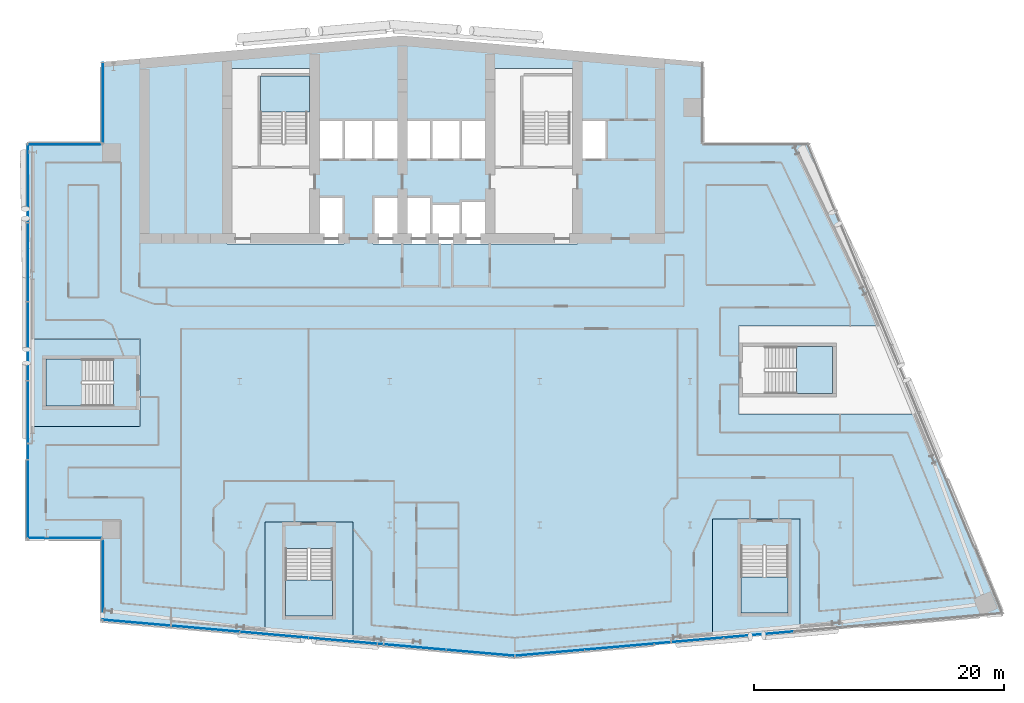
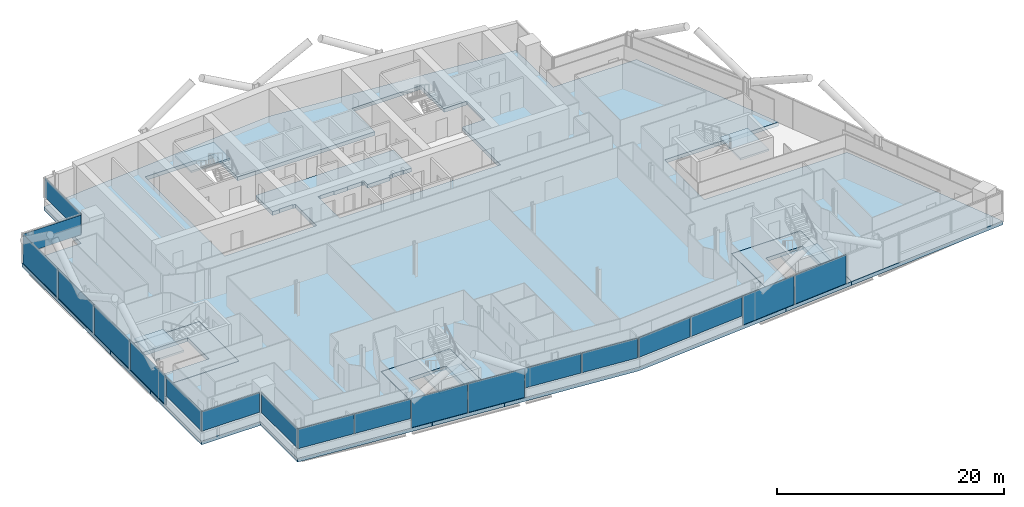
# One storey, part 13 of 27: 19 plates, 9 slabs, 12 elements without a shape of their own.
"""IFC4 building model written with IfcOpenShell, lengths in metres."""

import ifcopenshell
import ifcopenshell.guid

model = None  # the IFC model being written
_history = None  # IfcOwnerHistory: only IFC2X3 demands one
_inside = {}  # id of a spatial element -> (the spatial element, [elements in it])
_under = {}  # id of a project, library or spatial element -> (it, [spatial elements below it])
_declared = {}  # id of a project -> (the project, [libraries it declares])
_typed = {}  # id of a type object -> (the type object, [elements of that type])
_made_of = {}  # id of a material, layer set ... -> (it, [elements and type objects made of it])


def new_model(schema):
    """Start an empty IFC model of exactly this schema.

    Asked for "IFC4X3", IfcOpenShell would pick the latest addendum, in which some entities
    have other attributes; the version numbers below select the first issue.
    IFC2X3 requires an IfcOwnerHistory on every rooted entity: one is made here for all.
    """
    global model, _history
    if schema == "IFC4X3":
        model = ifcopenshell.file(schema_version=(4, 3, 0, 0))
    else:
        model = ifcopenshell.file(schema=schema)
    _inside.clear()
    _under.clear()
    _declared.clear()
    _typed.clear()
    _made_of.clear()
    _history = None
    if model.schema == "IFC2X3":
        org = make("IfcOrganization", Name="unknown")
        user = make(
            "IfcPersonAndOrganization",
            ThePerson=make("IfcPerson", FamilyName="unknown"),
            TheOrganization=org,
        )
        app = make(
            "IfcApplication",
            ApplicationDeveloper=org,
            Version="unknown",
            ApplicationFullName="unknown",
            ApplicationIdentifier="unknown",
        )
        _history = make(
            "IfcOwnerHistory",
            OwningUser=user,
            OwningApplication=app,
            ChangeAction="ADDED",
            CreationDate=0,
        )
    return model


def make(cls, **values):
    """One entity of the class cls with the attributes given. An attribute that is None is left unset."""
    return model.create_entity(
        cls, **{name: value for name, value in values.items() if value is not None}
    )


def rooted(cls, **values):
    """An entity with a GlobalId (a new one), such as an element, a storey or a relation."""
    return make(cls, GlobalId=ifcopenshell.guid.new(), OwnerHistory=_history, **values)


def si_unit(unit_type, name, prefix=None):
    """IfcSIUnit, for example si_unit("LENGTHUNIT", "METRE", prefix="MILLI")."""
    return make("IfcSIUnit", UnitType=unit_type, Prefix=prefix, Name=name)


def assignment(units):
    """IfcUnitAssignment: the units of a project."""
    return None if units is None else make("IfcUnitAssignment", Units=units)


def point(xyz):
    """IfcCartesianPoint."""
    return None if xyz is None else make("IfcCartesianPoint", Coordinates=xyz)


def direction(xyz):
    """IfcDirection."""
    return None if xyz is None else make("IfcDirection", DirectionRatios=xyz)


def frame(location, z_axis=None, x_axis=None):
    """IfcAxis2Placement3D, a coordinate frame: its origin and axes. An axis left out is left unset."""
    return make(
        "IfcAxis2Placement3D",
        Location=point(location),
        Axis=direction(z_axis),
        RefDirection=direction(x_axis),
    )


def frame_2d(location, x_axis=None):
    """IfcAxis2Placement2D, a coordinate frame in the plane: its origin and x axis."""
    return make(
        "IfcAxis2Placement2D", Location=point(location), RefDirection=direction(x_axis)
    )


def origin():
    """The frame at (0, 0, 0) with its axes left unset."""
    return frame((0.0, 0.0, 0.0))


def origin_2d():
    """The frame at (0, 0) in the plane with its x axis left unset."""
    return frame_2d((0.0, 0.0))


def place(relative_to, where):
    """IfcLocalPlacement: puts the frame where relative to a parent placement (None: the world)."""
    return make(
        "IfcLocalPlacement", PlacementRelTo=relative_to, RelativePlacement=where
    )


def context(
    kind, dimensions, precision=None, world=None, true_north=None, identifier=None
):
    """IfcGeometricRepresentationContext, for example the 3D "Model" context."""
    return make(
        "IfcGeometricRepresentationContext",
        ContextIdentifier=identifier,
        ContextType=kind,
        CoordinateSpaceDimension=dimensions,
        Precision=precision,
        WorldCoordinateSystem=world,
        TrueNorth=true_north,
    )


def subcontext(parent, identifier, kind, view, scale=None):
    """IfcGeometricRepresentationSubContext, for example "Body" below "Model"."""
    return make(
        "IfcGeometricRepresentationSubContext",
        ContextIdentifier=identifier,
        ContextType=kind,
        ParentContext=parent,
        TargetScale=scale,
        TargetView=view,
    )


def project(units=None, contexts=None):
    """IfcProject with its units and contexts."""
    return rooted(
        "IfcProject",
        Name="project",
        RepresentationContexts=contexts,
        UnitsInContext=assignment(units),
    )


def spatial(cls, under=None, at=None, **own):
    """A site, building, storey or space (cls), placed at a placement, below another one or the project."""
    s = rooted(cls, ObjectPlacement=at, **own)
    if under is not None:
        _under.setdefault(under.id(), (under, []))[1].append(s)
    return s


def polyline(points):
    """IfcPolyline through the points."""
    return make("IfcPolyline", Points=[point(p) for p in points])


def profile(cls, at=None, kind="AREA", **sizes):
    """A parametric profile (cls). Its sizes go by their IFC names, for example OverallWidth=200.0."""
    return make(cls, ProfileType=kind, Position=at, **sizes)


def rectangle(**sizes):
    """IfcRectangleProfileDef."""
    return profile("IfcRectangleProfileDef", **sizes)


def outline(outer, holes=None, kind="AREA"):
    """IfcArbitraryClosedProfileDef: a profile drawn as a closed curve; with holes, ...WithVoids."""
    if holes is None:
        return make("IfcArbitraryClosedProfileDef", ProfileType=kind, OuterCurve=outer)
    return make(
        "IfcArbitraryProfileDefWithVoids",
        ProfileType=kind,
        OuterCurve=outer,
        InnerCurves=holes,
    )


def extrude(swept, where, along, depth):
    """IfcExtrudedAreaSolid: the profile swept, set in the frame where, extruded along a direction by depth."""
    return make(
        "IfcExtrudedAreaSolid",
        SweptArea=swept,
        Position=where,
        ExtrudedDirection=direction(along),
        Depth=depth,
    )


def shape(context_of_items, identifier, shape_type, items):
    """IfcShapeRepresentation: the items that make up one representation, for example the "Body"."""
    return make(
        "IfcShapeRepresentation",
        ContextOfItems=context_of_items,
        RepresentationIdentifier=identifier,
        RepresentationType=shape_type,
        Items=items,
    )


def material(Name=None, Category=None):
    """IfcMaterial."""
    return make("IfcMaterial", Name=Name, Category=Category)


def layer(
    of_material, thickness, ventilated=None, Name=None, Category=None, Priority=None
):
    """IfcMaterialLayer: one layer of a wall or slab, of a material (None: an air gap)."""
    return make(
        "IfcMaterialLayer",
        Material=of_material,
        LayerThickness=thickness,
        IsVentilated=ventilated,
        Name=Name,
        Category=Category,
        Priority=Priority,
    )


def layer_set(layers, Name=None):
    """IfcMaterialLayerSet."""
    return make("IfcMaterialLayerSet", MaterialLayers=layers, LayerSetName=Name)


def made_of(thing, what):
    """Note that an element or type object is made of a material, layer set ...; save() writes the relation."""
    if what is not None:
        _made_of.setdefault(what.id(), (what, []))[1].append(thing)
    return thing


def type_object(cls, material=None, **own):
    """A type object (cls), such as IfcWallType, which elements share."""
    return made_of(rooted(cls, **own), material)


def element(
    cls,
    number,
    at=None,
    inside=None,
    cuts=None,
    type_object=None,
    material=None,
    context=None,
    identifier="Body",
    shape_type=None,
    held_by="IfcProductDefinitionShape",
    body=None,
    shapes=None,
    **own,
):
    """One element of the class cls, such as IfcWall. Its Tag is "e" and its number.

    at: its placement. inside: the storey or other place that contains it. cuts: it is an
    opening in that element (IfcRelVoidsElement). A single representation is given by context,
    identifier, shape_type and body (its items); several are given by shapes. held_by: the class
    of the entity that holds the representations. save() writes the other relations.
    """
    e = rooted(cls, Tag="e%d" % number, ObjectPlacement=at, **own)
    if body is not None:
        shapes = [shape(context, identifier, shape_type, body)]
    if shapes is not None:
        e.Representation = make(held_by, Representations=shapes)
    if inside is not None:
        _inside.setdefault(inside.id(), (inside, []))[1].append(e)
    if cuts is not None:
        rooted(
            "IfcRelVoidsElement", RelatingBuildingElement=cuts, RelatedOpeningElement=e
        )
    if type_object is not None:
        _typed.setdefault(type_object.id(), (type_object, []))[1].append(e)
    return made_of(e, material)


def aggregate(whole, parts):
    """IfcRelAggregates: a whole, such as a stair, and the parts it consists of."""
    return rooted("IfcRelAggregates", RelatingObject=whole, RelatedObjects=parts)


def save(model, path):
    """Write the relations noted so far, then the file.

    IfcRelAggregates (storeys below a building ...), IfcRelContainedInSpatialStructure (elements
    in a storey), IfcRelDefinesByType, IfcRelAssociatesMaterial and IfcRelDeclares: one each for
    every whole, place, type object, material and project.
    """
    for whole, parts in _under.values():
        aggregate(whole, parts)
    for where, things in _inside.values():
        rooted(
            "IfcRelContainedInSpatialStructure",
            RelatedElements=things,
            RelatingStructure=where,
        )
    for kind, things in _typed.values():
        rooted("IfcRelDefinesByType", RelatedObjects=things, RelatingType=kind)
    for what, things in _made_of.values():
        rooted("IfcRelAssociatesMaterial", RelatedObjects=things, RelatingMaterial=what)
    for by, libraries in _declared.values():
        rooted("IfcRelDeclares", RelatingContext=by, RelatedDefinitions=libraries)
    model.write(path)


model = new_model("IFC4")

# Units and contexts
model_context = context("Model", 3, precision=1e-05, world=origin(), true_north=direction((0.0, 1.0)))
body_context = subcontext(model_context, "Body", "Model", "MODEL_VIEW")
ifc_project = project(units=[si_unit("LENGTHUNIT", "METRE"), si_unit("AREAUNIT", "SQUARE_METRE"), si_unit("VOLUMEUNIT", "CUBIC_METRE"), si_unit("PLANEANGLEUNIT", "RADIAN"), si_unit("MASSUNIT", "GRAM", prefix="KILO")], contexts=[model_context])

# Site, building, storey
site_placement = place(None, origin())
site = spatial("IfcSite", under=ifc_project, at=site_placement, CompositionType="ELEMENT")
building_placement = place(site_placement, origin())
building = spatial("IfcBuilding", under=site, at=building_placement, Name="Wharfspan Tower", CompositionType="ELEMENT")
storey_placement = place(building_placement, frame((0.0, 0.0, 191.5)))
storey = spatial("IfcBuildingStorey", under=building, at=storey_placement, Name="L47", CompositionType="ELEMENT", Elevation=191.5)

# Curtain wall, plates
ifc_material_1 = material(Name="Aluminium 6063-T6", Category="aluminium")
curtain_wall_type_1 = type_object("IfcCurtainWallType", Name="CURTAIN WALL FACETED FRONT", PredefinedType="NOTDEFINED", material=ifc_material_1)
curtain_wall_1_placement = place(storey_placement, origin())
curtain_wall_1 = element("IfcCurtainWall", 1, at=curtain_wall_1_placement, inside=storey, type_object=curtain_wall_type_1, Name="Curtain wall S1", PredefinedType="NOTDEFINED")
ifc_material_2 = material(Name="Glass clear low-iron double glazing", Category="glass")
ifc_layer_1 = layer(ifc_material_2, 0.040039)
ifc_layer_set_1 = layer_set([ifc_layer_1], Name="Glass clear low-iron double glazing")
plate_type_1 = type_object("IfcPlateType", Name="GLASS PANEL FACETED FRONT 40", PredefinedType="CURTAIN_PANEL", material=ifc_layer_set_1)
plate_1_placement = place(storey_placement, frame((15.770264, 3.692871, 1.0), z_axis=(0.0, 0.0, 1.0), x_axis=(0.996198, -0.087156, 0.0)))
plate_1 = element("IfcPlate", 2, at=plate_1_placement, type_object=plate_type_1, Name="Curtain wall S1 panel 1", PredefinedType="CURTAIN_PANEL", context=body_context, shape_type="SweptSolid", body=[
    extrude(rectangle(XDim=5.430908, YDim=0.040039, at=origin_2d()), origin(), (0.0, 0.0, 1.0), 2.120117),
])
plate_2_placement = place(storey_placement, frame((21.255127, 3.213135, 1.0), z_axis=(0.0, 0.0, 1.0), x_axis=(0.996198, -0.087156, 0.0)))
plate_2 = element("IfcPlate", 3, at=plate_2_placement, type_object=plate_type_1, Name="Curtain wall S1 panel 2", PredefinedType="CURTAIN_PANEL", context=body_context, shape_type="SweptSolid", body=[
    extrude(rectangle(XDim=5.460938, YDim=0.040039, at=origin_2d()), origin(), (0.0, 0.0, 1.0), 2.120117),
])
plate_3_placement = place(storey_placement, frame((37.755127, 1.769531, 1.0), z_axis=(0.0, 0.0, 1.0), x_axis=(0.996198, -0.087156, 0.0)))
plate_3 = element("IfcPlate", 4, at=plate_3_placement, type_object=plate_type_1, Name="Curtain wall S1 panel 5", PredefinedType="CURTAIN_PANEL", context=body_context, shape_type="SweptSolid", body=[
    extrude(rectangle(XDim=5.460938, YDim=0.040039, at=origin_2d()), origin(), (0.0, 0.0, 1.0), 2.120117),
])
plate_4_placement = place(storey_placement, frame((43.240234, 1.289551, 1.0), z_axis=(0.0, 0.0, 1.0), x_axis=(0.996198, -0.087156, 0.0)))
plate_4 = element("IfcPlate", 5, at=plate_4_placement, type_object=plate_type_1, Name="Curtain wall S1 panel 6", PredefinedType="CURTAIN_PANEL", context=body_context, shape_type="SweptSolid", body=[
    extrude(rectangle(XDim=5.430908, YDim=0.040039, at=origin_2d()), origin(), (0.0, 0.0, 1.0), 2.120117),
])

curtain_wall_2_placement = place(storey_placement, origin())
curtain_wall_2 = element("IfcCurtainWall", 6, at=curtain_wall_2_placement, inside=storey, type_object=curtain_wall_type_1, Name="Curtain wall S2", PredefinedType="NOTDEFINED")
plate_5_placement = place(storey_placement, frame((48.79541, 1.292725, 1.0), z_axis=(0.0, 0.0, 1.0), x_axis=(0.996198, 0.087156, 0.0)))
plate_5 = element("IfcPlate", 7, at=plate_5_placement, type_object=plate_type_1, Name="Curtain wall S2 panel 1", PredefinedType="CURTAIN_PANEL", context=body_context, shape_type="SweptSolid", body=[
    extrude(rectangle(XDim=5.502686, YDim=0.040039, at=origin_2d()), origin(), (0.0, 0.0, 1.0), 2.120117),
])
plate_6_placement = place(storey_placement, frame((54.351807, 1.778809, 1.0), z_axis=(0.0, 0.0, 1.0), x_axis=(0.996198, 0.087156, 0.0)))
plate_6 = element("IfcPlate", 8, at=plate_6_placement, type_object=plate_type_1, Name="Curtain wall S2 panel 2", PredefinedType="CURTAIN_PANEL", context=body_context, shape_type="SweptSolid", body=[
    extrude(rectangle(XDim=5.532715, YDim=0.040039, at=origin_2d()), origin(), (0.0, 0.0, 1.0), 2.120117),
])

# Curtain wall, plate
curtain_wall_type_2 = type_object("IfcCurtainWallType", Name="CURTAIN WALL PROW AND END", PredefinedType="NOTDEFINED", material=ifc_material_1)
curtain_wall_3_placement = place(storey_placement, origin())
curtain_wall_3 = element("IfcCurtainWall", 9, at=curtain_wall_3_placement, inside=storey, type_object=curtain_wall_type_2, Name="Curtain wall NRW-V", PredefinedType="NOTDEFINED")
ifc_layer_2 = layer(ifc_material_2, 0.040039)
ifc_layer_set_2 = layer_set([ifc_layer_2], Name="Glass clear low-iron double glazing")
plate_type_2 = type_object("IfcPlateType", Name="GLASS PANEL PROW AND END 40", PredefinedType="CURTAIN_PANEL", material=ifc_layer_set_2)
plate_7_placement = place(storey_placement, frame((13.080078, 45.262451, 1.0), z_axis=(0.0, 0.0, 1.0), x_axis=(0.0, -1.0, 0.0)))
plate_7 = element("IfcPlate", 10, at=plate_7_placement, type_object=plate_type_2, Name="Curtain wall NRW-V panel 1", PredefinedType="CURTAIN_PANEL", context=body_context, shape_type="SweptSolid", body=[
    extrude(rectangle(XDim=6.405029, YDim=0.040039, at=origin_2d()), origin(), (0.0, 0.0, 1.0), 2.120117),
])
aggregate(curtain_wall_3, [plate_7])

curtain_wall_4_placement = place(storey_placement, origin())
curtain_wall_4 = element("IfcCurtainWall", 11, at=curtain_wall_4_placement, inside=storey, type_object=curtain_wall_type_2, Name="Curtain wall NRW-H", PredefinedType="NOTDEFINED")
plate_8_placement = place(storey_placement, frame((10.0, 41.919922, 1.0), z_axis=(0.0, 0.0, 1.0), x_axis=(-1.0, 0.0, 0.0)))
plate_8 = element("IfcPlate", 12, at=plate_8_placement, type_object=plate_type_2, Name="Curtain wall NRW-H panel 1", PredefinedType="CURTAIN_PANEL", context=body_context, shape_type="SweptSolid", body=[
    extrude(rectangle(XDim=5.879883, YDim=0.040039, at=origin_2d()), origin(), (0.0, 0.0, 1.0), 2.120117),
])
aggregate(curtain_wall_4, [plate_8])

curtain_wall_5_placement = place(storey_placement, origin())
curtain_wall_5 = element("IfcCurtainWall", 13, at=curtain_wall_5_placement, inside=storey, type_object=curtain_wall_type_2, Name="Curtain wall W", PredefinedType="NOTDEFINED")
plate_9_placement = place(storey_placement, frame((7.080078, 13.574951, 1.0), z_axis=(0.0, 0.0, 1.0), x_axis=(0.0, -1.0, 0.0)))
plate_9 = element("IfcPlate", 14, at=plate_9_placement, type_object=plate_type_2, Name="Curtain wall W panel 5", PredefinedType="CURTAIN_PANEL", context=body_context, shape_type="SweptSolid", body=[
    extrude(rectangle(XDim=6.22998, YDim=0.040039, at=origin_2d()), origin(), (0.0, 0.0, 1.0), 2.120117),
])

curtain_wall_6_placement = place(storey_placement, origin())
curtain_wall_6 = element("IfcCurtainWall", 15, at=curtain_wall_6_placement, inside=storey, type_object=curtain_wall_type_2, Name="Curtain wall NFW-H", PredefinedType="NOTDEFINED")
plate_10_placement = place(storey_placement, frame((10.0, 10.47998, 1.0), z_axis=(0.0, 0.0, 1.0), x_axis=(1.0, 0.0, 0.0)))
plate_10 = element("IfcPlate", 16, at=plate_10_placement, type_object=plate_type_2, Name="Curtain wall NFW-H panel 1", PredefinedType="CURTAIN_PANEL", context=body_context, shape_type="SweptSolid", body=[
    extrude(rectangle(XDim=5.879883, YDim=0.040039, at=origin_2d()), origin(), (0.0, 0.0, 1.0), 2.120117),
])
aggregate(curtain_wall_6, [plate_10])

curtain_wall_7_placement = place(storey_placement, origin())
curtain_wall_7 = element("IfcCurtainWall", 17, at=curtain_wall_7_placement, inside=storey, type_object=curtain_wall_type_2, Name="Curtain wall NFW-V", PredefinedType="NOTDEFINED")
plate_11_placement = place(storey_placement, frame((13.080078, 7.137451, 1.0), z_axis=(0.0, 0.0, 1.0), x_axis=(0.0, -1.0, 0.0)))
plate_11 = element("IfcPlate", 18, at=plate_11_placement, type_object=plate_type_2, Name="Curtain wall NFW-V panel 1", PredefinedType="CURTAIN_PANEL", context=body_context, shape_type="SweptSolid", body=[
    extrude(rectangle(XDim=6.405029, YDim=0.040039, at=origin_2d()), origin(), (0.0, 0.0, 1.0), 2.120117),
])
aggregate(curtain_wall_7, [plate_11])

# Plate
ifc_material_3 = material(Name="Aluminium composite opaque insulated panel", Category="aluminium")
ifc_layer_3 = layer(ifc_material_3, 0.040039)
ifc_layer_set_3 = layer_set([ifc_layer_3], Name="Aluminium composite opaque insulated panel")
plate_type_3 = type_object("IfcPlateType", Name="INFILL PANEL FACETED FRONT OPAQUE 40", PredefinedType="SHEET", material=ifc_layer_set_3)
plate_12_placement = place(storey_placement, frame((26.755127, 2.731934, 0.0), z_axis=(0.0, 0.0, 1.0), x_axis=(0.996198, -0.087156, 0.0)))
plate_12 = element("IfcPlate", 19, at=plate_12_placement, type_object=plate_type_3, Name="Curtain wall S1 panel 3", PredefinedType="SHEET", context=body_context, shape_type="SweptSolid", body=[
    extrude(rectangle(XDim=5.460938, YDim=0.040039, at=origin_2d()), origin(), (0.0, 0.0, 1.0), 3.120117),
])

plate_13_placement = place(storey_placement, frame((32.255127, 2.250732, 0.0), z_axis=(0.0, 0.0, 1.0), x_axis=(0.996198, -0.087156, 0.0)))
plate_13 = element("IfcPlate", 20, at=plate_13_placement, type_object=plate_type_3, Name="Curtain wall S1 panel 4", PredefinedType="SHEET", context=body_context, shape_type="SweptSolid", body=[
    extrude(rectangle(XDim=5.460938, YDim=0.040039, at=origin_2d()), origin(), (0.0, 0.0, 1.0), 3.120117),
])

aggregate(curtain_wall_1, [plate_1, plate_2, plate_12, plate_13, plate_3, plate_4])

plate_14_placement = place(storey_placement, frame((59.92334, 2.266357, 0.0), z_axis=(0.0, 0.0, 1.0), x_axis=(0.996198, 0.087156, 0.0)))
plate_14 = element("IfcPlate", 21, at=plate_14_placement, type_object=plate_type_3, Name="Curtain wall S2 panel 3", PredefinedType="SHEET", context=body_context, shape_type="SweptSolid", body=[
    extrude(rectangle(XDim=5.532715, YDim=0.040039, at=origin_2d()), origin(), (0.0, 0.0, 1.0), 3.120117),
])

plate_15_placement = place(storey_placement, frame((65.494873, 2.753662, 0.0), z_axis=(0.0, 0.0, 1.0), x_axis=(0.996198, 0.087156, 0.0)))
plate_15 = element("IfcPlate", 22, at=plate_15_placement, type_object=plate_type_3, Name="Curtain wall S2 panel 4", PredefinedType="SHEET", context=body_context, shape_type="SweptSolid", body=[
    extrude(rectangle(XDim=5.532715, YDim=0.040039, at=origin_2d()), origin(), (0.0, 0.0, 1.0), 3.120117),
])

aggregate(curtain_wall_2, [plate_5, plate_6, plate_14, plate_15])

ifc_layer_4 = layer(ifc_material_3, 0.040039)
ifc_layer_set_4 = layer_set([ifc_layer_4], Name="Aluminium composite opaque insulated panel")
plate_type_4 = type_object("IfcPlateType", Name="INFILL PANEL PROW AND END OPAQUE 40", PredefinedType="SHEET", material=ifc_layer_set_4)
plate_16_placement = place(storey_placement, frame((7.080078, 38.824951, 0.0), z_axis=(0.0, 0.0, 1.0), x_axis=(0.0, -1.0, 0.0)))
plate_16 = element("IfcPlate", 23, at=plate_16_placement, type_object=plate_type_4, Name="Curtain wall W panel 1", PredefinedType="SHEET", context=body_context, shape_type="SweptSolid", body=[
    extrude(rectangle(XDim=6.22998, YDim=0.040039, at=origin_2d()), origin(), (0.0, 0.0, 1.0), 3.120117),
])

plate_17_placement = place(storey_placement, frame((7.080078, 32.52002, 0.0), z_axis=(0.0, 0.0, 1.0), x_axis=(0.0, -1.0, 0.0)))
plate_17 = element("IfcPlate", 24, at=plate_17_placement, type_object=plate_type_4, Name="Curtain wall W panel 2", PredefinedType="SHEET", context=body_context, shape_type="SweptSolid", body=[
    extrude(rectangle(XDim=6.26001, YDim=0.040039, at=origin_2d()), origin(), (0.0, 0.0, 1.0), 3.120117),
])

plate_18_placement = place(storey_placement, frame((7.080078, 26.199951, 0.0), z_axis=(0.0, 0.0, 1.0), x_axis=(0.0, -1.0, 0.0)))
plate_18 = element("IfcPlate", 25, at=plate_18_placement, type_object=plate_type_4, Name="Curtain wall W panel 3", PredefinedType="SHEET", context=body_context, shape_type="SweptSolid", body=[
    extrude(rectangle(XDim=6.26001, YDim=0.040039, at=origin_2d()), origin(), (0.0, 0.0, 1.0), 3.120117),
])

plate_19_placement = place(storey_placement, frame((7.080078, 19.879883, 0.0), z_axis=(0.0, 0.0, 1.0), x_axis=(0.0, -1.0, 0.0)))
plate_19 = element("IfcPlate", 26, at=plate_19_placement, type_object=plate_type_4, Name="Curtain wall W panel 4", PredefinedType="SHEET", context=body_context, shape_type="SweptSolid", body=[
    extrude(rectangle(XDim=6.26001, YDim=0.040039, at=origin_2d()), origin(), (0.0, 0.0, 1.0), 3.120117),
])

aggregate(curtain_wall_5, [plate_16, plate_17, plate_18, plate_19, plate_9])

# Slabs
ifc_material_4 = material(Name="Concrete C40/50", Category="concrete")
ifc_layer_5 = layer(ifc_material_4, 0.399902)
ifc_layer_set_5 = layer_set([ifc_layer_5], Name="Concrete C40/50")
slab_type_1 = type_object("IfcSlabType", Name="Post-tensioned flat slab 400", PredefinedType="FLOOR", material=ifc_layer_set_5)
slab_1_placement = place(storey_placement, frame((0.0, 0.0, -0.400146)))
element("IfcSlab", 27, at=slab_1_placement, inside=storey, type_object=slab_type_1, Name="Floor slab L47", PredefinedType="FLOOR", context=body_context, shape_type="SweptSolid", body=[
    extrude(outline(polyline([(26.029297, 2.735107), (26.029297, 11.744385), (33.049316, 11.744385), (33.049316, 2.121094), (46.0, 0.987793), (61.801514, 2.370361), (61.801514, 11.993652), (68.821289, 11.993652), (68.821289, 2.984619), (85.0, 4.399902), (78.398682, 20.389893), (63.894531, 20.389893), (63.894531, 27.409912), (75.500488, 27.409912), (69.477051, 42.0), (61.0, 42.0), (61.0, 48.524902), (37.0, 50.624756), (13.0, 48.524902), (13.0, 42.0), (7.0, 42.0), (7.0, 26.409912), (16.01001, 26.409912), (16.01001, 19.389893), (7.0, 19.389893), (7.0, 10.399902), (13.0, 10.399902), (13.0, 3.875), (26.029297, 2.735107)]), holes=[polyline([(32.126709, 37.76001), (32.343262, 37.76001), (32.343262, 33.98999), (22.98999, 33.98999), (22.98999, 48.01001), (30.01001, 48.01001), (30.01001, 43.909912), (43.98999, 43.909912), (43.98999, 48.01001), (51.01001, 48.01001), (51.01001, 43.909912), (53.343262, 43.909912), (53.343262, 40.689941), (51.01001, 40.689941), (51.01001, 33.98999), (34.656738, 33.98999), (34.656738, 37.76001), (34.873291, 37.76001), (34.873291, 37.810059), (36.293213, 37.810059), (36.293213, 37.76001), (37.666748, 37.76001), (37.666748, 37.810059), (39.166748, 37.810059), (39.166748, 37.76001), (39.343262, 37.76001), (39.343262, 37.209961), (41.656738, 37.209961), (41.656738, 37.459961), (42.023193, 37.459961), (42.023193, 37.51001), (43.143311, 37.51001), (43.143311, 37.459961), (43.98999, 37.459961), (43.98999, 40.689941), (30.01001, 40.689941), (30.01001, 37.76001), (30.706787, 37.76001), (30.706787, 37.810059), (32.126709, 37.810059), (32.126709, 37.76001)])]), origin(), (0.0, 0.0, 1.0), 0.400146),
])
slab_2_placement = place(storey_placement, frame((0.0, 0.0, -0.400146)))
element("IfcSlab", 28, at=slab_2_placement, inside=storey, type_object=slab_type_1, Name="Core floor slab L47 part 1", PredefinedType="FLOOR", context=body_context, shape_type="SweptSolid", body=[
    extrude(outline(polyline([(16.0, 20.725098), (16.0, 25.074951), (16.0, 26.399902), (7.0, 26.399902), (7.0, 19.399902), (16.0, 19.399902), (16.0, 20.725098)]), holes=[polyline([(13.899902, 24.7771), (13.900146, 24.7771), (13.900391, 24.7771), (13.900635, 24.776855), (13.900879, 24.776855), (13.900879, 24.776855), (13.901123, 24.776611), (13.901367, 24.776611), (13.901367, 24.776367), (13.901611, 24.776367), (13.901611, 24.776123), (13.901855, 24.775879), (13.901855, 24.775879), (13.901855, 24.775635), (13.9021, 24.775391), (13.9021, 24.775146), (13.9021, 24.774902), (13.9021, 21.024902), (13.9021, 21.024902), (13.9021, 21.024658), (13.901855, 21.024414), (13.901855, 21.02417), (13.901855, 21.02417), (13.901611, 21.023926), (13.901611, 21.023682), (13.901367, 21.023682), (13.901367, 21.023438), (13.901123, 21.023193), (13.900879, 21.023193), (13.900879, 21.023193), (13.900635, 21.023193), (13.900391, 21.022949), (13.900146, 21.022949), (13.899902, 21.022949), (8.5, 21.022949), (8.499756, 21.022949), (8.499512, 21.022949), (8.499512, 21.023193), (8.499268, 21.023193), (8.499023, 21.023193), (8.498779, 21.023193), (8.498779, 21.023438), (8.498535, 21.023682), (8.498535, 21.023682), (8.498291, 21.023926), (8.498291, 21.02417), (8.498291, 21.02417), (8.498047, 21.024414), (8.498047, 21.024658), (8.498047, 21.024902), (8.498047, 21.024902), (8.498047, 24.774902), (8.498047, 24.775146), (8.498047, 24.775391), (8.498047, 24.775635), (8.498291, 24.775879), (8.498291, 24.775879), (8.498291, 24.776123), (8.498535, 24.776367), (8.498535, 24.776367), (8.498779, 24.776611), (8.498779, 24.776611), (8.499023, 24.776855), (8.499268, 24.776855), (8.499512, 24.776855), (8.499512, 24.7771), (8.499756, 24.7771), (8.5, 24.7771), (13.899902, 24.7771)])]), origin(), (0.0, 0.0, 1.0), 0.400146),
])
slab_3_placement = place(storey_placement, frame((0.0, 0.0, -0.400146)))
element("IfcSlab", 29, at=slab_3_placement, inside=storey, type_object=slab_type_1, Name="Core floor slab L47 part 2", PredefinedType="FLOOR", context=body_context, shape_type="SweptSolid", body=[
    extrude(outline(polyline([(31.714111, 11.734375), (27.364258, 11.734375), (26.039307, 11.734375), (26.039307, 2.734375), (33.039307, 2.121826), (33.039307, 11.734375), (31.714111, 11.734375)]), holes=[polyline([(27.662109, 9.634277), (27.662109, 9.634521), (27.662354, 9.634766), (27.662354, 9.63501), (27.662354, 9.63501), (27.662598, 9.635254), (27.662598, 9.635498), (27.662598, 9.635498), (27.662842, 9.635742), (27.663086, 9.635742), (27.663086, 9.635986), (27.66333, 9.635986), (27.663574, 9.635986), (27.663574, 9.63623), (27.663818, 9.63623), (27.664062, 9.63623), (27.664307, 9.63623), (31.414307, 9.63623), (31.414307, 9.63623), (31.414551, 9.63623), (31.414795, 9.63623), (31.415039, 9.635986), (31.415283, 9.635986), (31.415283, 9.635986), (31.415527, 9.635742), (31.415527, 9.635742), (31.415771, 9.635498), (31.416016, 9.635498), (31.416016, 9.635254), (31.416016, 9.63501), (31.416016, 9.63501), (31.41626, 9.634766), (31.41626, 9.634521), (31.41626, 9.634277), (31.41626, 4.234375), (31.41626, 4.234131), (31.41626, 4.233887), (31.416016, 4.233643), (31.416016, 4.233398), (31.416016, 4.233398), (31.416016, 4.233154), (31.415771, 4.23291), (31.415527, 4.23291), (31.415527, 4.232666), (31.415283, 4.232666), (31.415283, 4.232422), (31.415039, 4.232422), (31.414795, 4.232422), (31.414551, 4.232422), (31.414307, 4.232422), (31.414307, 4.232422), (27.664307, 4.232422), (27.664062, 4.232422), (27.663818, 4.232422), (27.663574, 4.232422), (27.663574, 4.232422), (27.66333, 4.232422), (27.663086, 4.232666), (27.663086, 4.232666), (27.662842, 4.23291), (27.662598, 4.23291), (27.662598, 4.233154), (27.662598, 4.233398), (27.662354, 4.233398), (27.662354, 4.233643), (27.662354, 4.233887), (27.662109, 4.234131), (27.662109, 4.234375), (27.662109, 9.634277)])]), origin(), (0.0, 0.0, 1.0), 0.400146),
])
slab_4_placement = place(storey_placement, frame((0.0, 0.0, -0.400146)))
element("IfcSlab", 30, at=slab_4_placement, inside=storey, type_object=slab_type_1, Name="Core floor slab L47 part 4", PredefinedType="FLOOR", context=body_context, shape_type="SweptSolid", body=[
    extrude(outline(polyline([(68.811279, 11.983643), (68.136475, 11.983643), (63.786377, 11.983643), (61.811279, 11.983643), (61.811279, 2.371338), (68.811279, 2.983643), (68.811279, 11.983643)]), holes=[polyline([(64.084473, 9.883789), (64.084473, 9.883789), (64.084473, 9.884033), (64.084473, 9.884277), (64.084473, 9.884521), (64.084717, 9.884521), (64.084717, 9.884766), (64.084717, 9.88501), (64.084961, 9.88501), (64.085205, 9.885254), (64.085205, 9.885254), (64.085449, 9.885498), (64.085693, 9.885498), (64.085693, 9.885498), (64.085938, 9.885498), (64.086182, 9.885742), (64.086426, 9.885742), (67.836426, 9.885742), (67.836426, 9.885742), (67.83667, 9.885498), (67.836914, 9.885498), (67.837158, 9.885498), (67.837402, 9.885498), (67.837402, 9.885254), (67.837646, 9.885254), (67.837891, 9.88501), (67.837891, 9.88501), (67.837891, 9.884766), (67.838135, 9.884521), (67.838135, 9.884521), (67.838379, 9.884277), (67.838379, 9.884033), (67.838379, 9.883789), (67.838379, 9.883789), (67.838379, 4.483643), (67.838379, 4.483398), (67.838379, 4.483398), (67.838379, 4.483154), (67.838135, 4.48291), (67.838135, 4.482666), (67.837891, 4.482666), (67.837891, 4.482422), (67.837891, 4.482422), (67.837646, 4.482178), (67.837402, 4.481934), (67.837402, 4.481934), (67.837158, 4.481689), (67.836914, 4.481689), (67.83667, 4.481689), (67.836426, 4.481689), (67.836426, 4.481689), (64.086426, 4.481689), (64.086182, 4.481689), (64.085938, 4.481689), (64.085693, 4.481689), (64.085693, 4.481689), (64.085449, 4.481934), (64.085205, 4.481934), (64.085205, 4.482178), (64.084961, 4.482422), (64.084717, 4.482422), (64.084717, 4.482666), (64.084717, 4.482666), (64.084473, 4.48291), (64.084473, 4.483154), (64.084473, 4.483398), (64.084473, 4.483398), (64.084473, 4.483643), (64.084473, 9.883789)])]), origin(), (0.0, 0.0, 1.0), 0.400146),
])

# Stair, slab
stair_type = type_object("IfcStairType", Name="Half-turn stair 20 risers 180 mm", PredefinedType="HALF_TURN_STAIR", material=ifc_material_4)
stair_1_placement = place(storey_placement, origin())
stair_1 = element("IfcStair", 31, at=stair_1_placement, inside=storey, type_object=stair_type, Name="L47 stair ST1", PredefinedType="HALF_TURN_STAIR")
ifc_layer_6 = layer(ifc_material_4, 0.199951)
ifc_layer_set_6 = layer_set([ifc_layer_6], Name="Concrete C40/50")
slab_type_2 = type_object("IfcSlabType", Name="Stair landing 200", PredefinedType="LANDING", material=ifc_layer_set_6)
slab_5_placement = place(storey_placement, frame((0.0, 0.0, 1.599854)))
slab_5 = element("IfcSlab", 32, at=slab_5_placement, type_object=slab_type_2, Name="ST1 landing 1", PredefinedType="LANDING", context=body_context, shape_type="SweptSolid", body=[
    extrude(outline(polyline([(25.649902, 44.52002), (29.600098, 44.52002), (29.600098, 47.399902), (25.649902, 47.399902), (25.649902, 44.52002)])), origin(), (0.0, 0.0, 1.0), 0.200195),
])
aggregate(stair_1, [slab_5])

stair_2_placement = place(storey_placement, origin())
stair_2 = element("IfcStair", 33, at=stair_2_placement, inside=storey, type_object=stair_type, Name="L47 stair ST3", PredefinedType="HALF_TURN_STAIR")
slab_6_placement = place(storey_placement, frame((0.0, 0.0, 1.599854)))
slab_6 = element("IfcSlab", 34, at=slab_6_placement, type_object=slab_type_2, Name="ST3 landing 1", PredefinedType="LANDING", context=body_context, shape_type="SweptSolid", body=[
    extrude(outline(polyline([(11.379883, 24.774902), (8.5, 24.774902), (8.5, 21.024902), (11.379883, 21.024902), (11.379883, 24.774902)])), origin(), (0.0, 0.0, 1.0), 0.200195),
])
aggregate(stair_2, [slab_6])

stair_3_placement = place(storey_placement, origin())
stair_3 = element("IfcStair", 35, at=stair_3_placement, inside=storey, type_object=stair_type, Name="L47 stair ST4", PredefinedType="HALF_TURN_STAIR")
slab_7_placement = place(storey_placement, frame((0.0, 0.0, 1.599854)))
slab_7 = element("IfcSlab", 36, at=slab_7_placement, type_object=slab_type_2, Name="ST4 landing 1", PredefinedType="LANDING", context=body_context, shape_type="SweptSolid", body=[
    extrude(outline(polyline([(27.664307, 7.114258), (27.664307, 4.234375), (31.414307, 4.234375), (31.414307, 7.114258), (27.664307, 7.114258)])), origin(), (0.0, 0.0, 1.0), 0.200195),
])
aggregate(stair_3, [slab_7])

stair_4_placement = place(storey_placement, origin())
stair_4 = element("IfcStair", 37, at=stair_4_placement, inside=storey, type_object=stair_type, Name="L47 stair ST5", PredefinedType="HALF_TURN_STAIR")
slab_8_placement = place(storey_placement, frame((0.0, 0.0, 1.599854)))
slab_8 = element("IfcSlab", 38, at=slab_8_placement, type_object=slab_type_2, Name="ST5 landing 1", PredefinedType="LANDING", context=body_context, shape_type="SweptSolid", body=[
    extrude(outline(polyline([(64.086426, 7.36377), (64.086426, 4.483643), (67.836426, 4.483643), (67.836426, 7.36377), (64.086426, 7.36377)])), origin(), (0.0, 0.0, 1.0), 0.200195),
])
aggregate(stair_4, [slab_8])

stair_5_placement = place(storey_placement, origin())
stair_5 = element("IfcStair", 39, at=stair_5_placement, inside=storey, type_object=stair_type, Name="L47 stair ST6", PredefinedType="HALF_TURN_STAIR")
slab_9_placement = place(storey_placement, frame((0.0, 0.0, 1.599854)))
slab_9 = element("IfcSlab", 40, at=slab_9_placement, type_object=slab_type_2, Name="ST6 landing 1", PredefinedType="LANDING", context=body_context, shape_type="SweptSolid", body=[
    extrude(outline(polyline([(68.524658, 22.024902), (71.404541, 22.024902), (71.404541, 25.774902), (68.524658, 25.774902), (68.524658, 22.024902)])), origin(), (0.0, 0.0, 1.0), 0.200195),
])
aggregate(stair_5, [slab_9])

save(model, "model.ifc")
